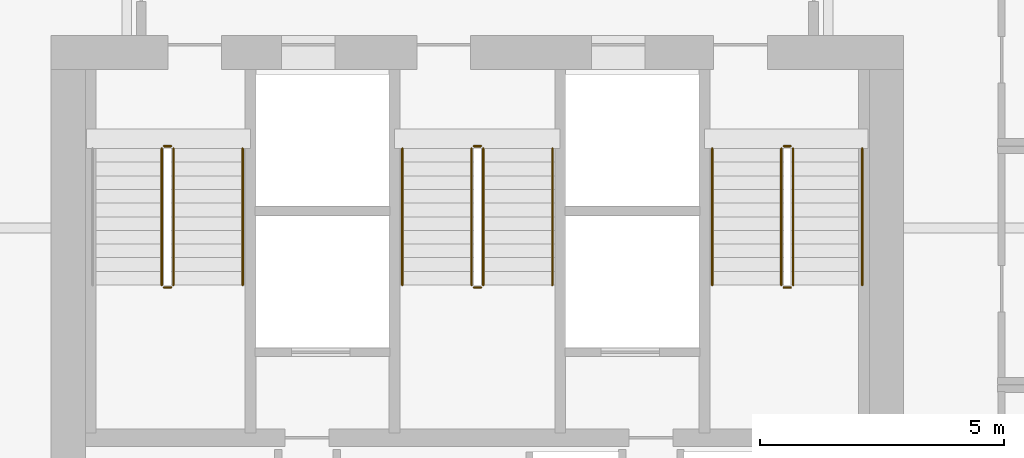
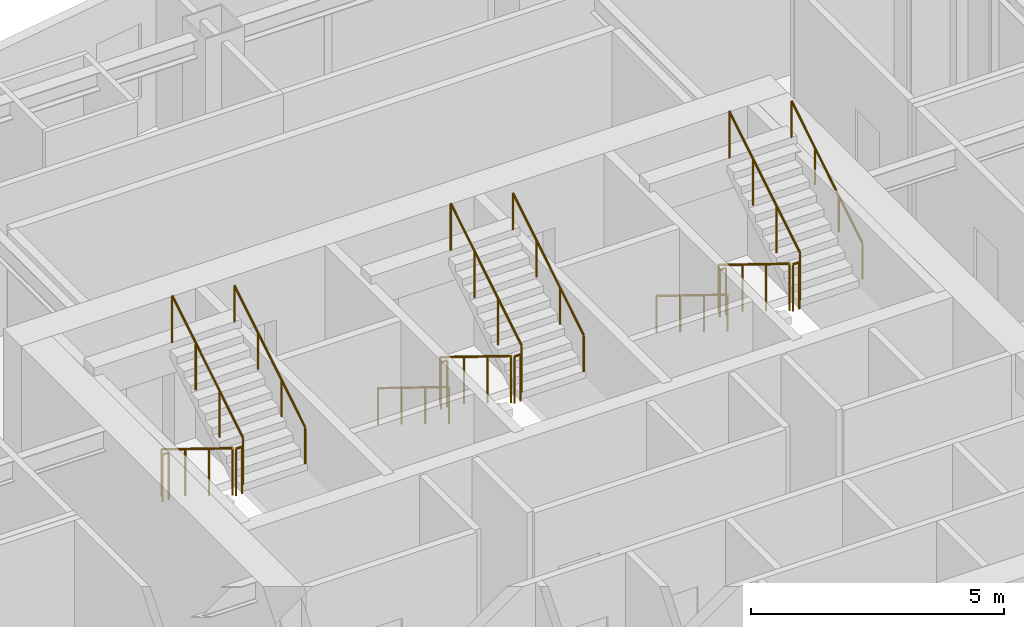
# One storey, part 15 of 15: 17 railings.
"""IFC4 building model written with IfcOpenShell, lengths in metres."""

from ifc_helpers import new_model, si_unit, direction, frame, origin, origin_2d, place, context, subcontext, project, spatial, circle, extrude, material, type_object, element, save


model = new_model("IFC4")

# Units and contexts
model_context = context("Model", 3, precision=1e-05, world=origin(), true_north=direction((0.0, 1.0)))
body_context = subcontext(model_context, "Body", "Model", "MODEL_VIEW")
ifc_project = project(units=[si_unit("LENGTHUNIT", "METRE"), si_unit("AREAUNIT", "SQUARE_METRE"), si_unit("VOLUMEUNIT", "CUBIC_METRE"), si_unit("PLANEANGLEUNIT", "RADIAN"), si_unit("MASSUNIT", "GRAM", prefix="KILO")], contexts=[model_context])

# Site, building, storey
site_placement = place(None, origin())
site = spatial("IfcSite", under=ifc_project, at=site_placement, CompositionType="ELEMENT")
building_placement = place(site_placement, origin())
building = spatial("IfcBuilding", under=site, at=building_placement, Name="Haolan Belvedere Tower", CompositionType="ELEMENT")
storey_placement = place(building_placement, frame((0.0, 0.0, 152.39990234375)))
storey = spatial("IfcBuildingStorey", under=building, at=storey_placement, Name="L38", CompositionType="ELEMENT", Elevation=152.39990234375)

# Railings
ifc_material = material(Name="Brushed stainless steel 304", Category="steel")
railing_type_1 = type_object("IfcRailingType", Name="RL-STAIR-GRD-1150", PredefinedType="GUARDRAIL", material=ifc_material)
railing_1_placement = place(storey_placement, frame((31.919921875, 41.22998046875, 0.1728515625)))
element("IfcRailing", 1, at=railing_1_placement, inside=storey, type_object=railing_type_1, Name="L38 ST1 stair guard 1", PredefinedType="GUARDRAIL", context=body_context, shape_type="SweptSolid", body=[
    extrude(circle(Radius=0.02392578125, at=origin_2d()), frame((0.0, 0.0, 1.1259765625), z_axis=(0.0, -0.851089632645, 0.525020415988), x_axis=(1.0, 0.0, 0.0)), (0.0, 0.0, 1.0), 3.2900390625),
    extrude(circle(Radius=0.02099609375, at=origin_2d()), origin(), (0.0, 0.0, 1.0), 1.101806640625),
    extrude(circle(Radius=0.02099609375, at=origin_2d()), frame((0.0, -0.933349609375, 0.57568359375)), (0.0, 0.0, 1.0), 1.101806640625),
    extrude(circle(Radius=0.02099609375, at=origin_2d()), frame((0.0, -1.86669921875, 1.151611328125)), (0.0, 0.0, 1.0), 1.101806640625),
    extrude(circle(Radius=0.02099609375, at=origin_2d()), frame((0.0, -2.800048828125, 1.727294921875)), (0.0, 0.0, 1.0), 1.101806640625),
])
railing_2_placement = place(storey_placement, frame((31.969970703125, 38.3798828125, 1.900146484375)))
element("IfcRailing", 2, at=railing_2_placement, inside=storey, type_object=railing_type_1, Name="L38 ST1 stair guard 2", PredefinedType="GUARDRAIL", context=body_context, shape_type="SweptSolid", body=[
    extrude(circle(Radius=0.02392578125, at=origin_2d()), frame((0.0, 0.0, 1.1259765625), z_axis=(1.0, 0.0, 0.0), x_axis=(0.0, 1.0, 0.0)), (0.0, 0.0, 1.0), 0.14013671875),
    extrude(circle(Radius=0.02099609375, at=origin_2d()), origin(), (0.0, 0.0, 1.0), 1.101806640625),
    extrude(circle(Radius=0.02099609375, at=origin_2d()), frame((0.14013671875, 0.0, 0.0)), (0.0, 0.0, 1.0), 1.101806640625),
])
railing_3_placement = place(storey_placement, frame((32.159912109375, 38.429931640625, 2.07275390625)))
element("IfcRailing", 3, at=railing_3_placement, inside=storey, type_object=railing_type_1, Name="L38 ST1 stair guard 3", PredefinedType="GUARDRAIL", context=body_context, shape_type="SweptSolid", body=[
    extrude(circle(Radius=0.02392578125, at=origin_2d()), frame((0.0, 0.0, 1.1259765625), z_axis=(0.0, 0.851089632645, 0.525020415988), x_axis=(-1.0, 0.0, 0.0)), (0.0, 0.0, 1.0), 3.2900390625),
    extrude(circle(Radius=0.02099609375, at=origin_2d()), origin(), (0.0, 0.0, 1.0), 1.101806640625),
    extrude(circle(Radius=0.02099609375, at=origin_2d()), frame((0.0, 0.933349609375, 0.57568359375)), (0.0, 0.0, 1.0), 1.101806640625),
    extrude(circle(Radius=0.02099609375, at=origin_2d()), frame((0.0, 1.86669921875, 1.151611328125)), (0.0, 0.0, 1.0), 1.101806640625),
    extrude(circle(Radius=0.02099609375, at=origin_2d()), frame((0.0, 2.800048828125, 1.727294921875)), (0.0, 0.0, 1.0), 1.101806640625),
])
railing_4_placement = place(storey_placement, frame((31.969970703125, 41.280029296875, 0.0)))
element("IfcRailing", 4, at=railing_4_placement, inside=storey, type_object=railing_type_1, Name="L38 ST1 stair guard 4", PredefinedType="GUARDRAIL", context=body_context, shape_type="SweptSolid", body=[
    extrude(circle(Radius=0.02392578125, at=origin_2d()), frame((0.0, 0.0, 1.1259765625), z_axis=(1.0, 0.0, 0.0), x_axis=(0.0, 1.0, 0.0)), (0.0, 0.0, 1.0), 0.14013671875),
    extrude(circle(Radius=0.02099609375, at=origin_2d()), origin(), (0.0, 0.0, 1.0), 1.101806640625),
    extrude(circle(Radius=0.02099609375, at=origin_2d()), frame((0.14013671875, 0.0, 0.0)), (0.0, 0.0, 1.0), 1.101806640625),
])
railing_5_placement = place(storey_placement, frame((38.280029296875, 41.22998046875, 0.1728515625)))
element("IfcRailing", 5, at=railing_5_placement, inside=storey, type_object=railing_type_1, Name="L38 ST3 stair guard 1", PredefinedType="GUARDRAIL", context=body_context, shape_type="SweptSolid", body=[
    extrude(circle(Radius=0.02392578125, at=origin_2d()), frame((0.0, 0.0, 1.1259765625), z_axis=(0.0, -0.851089632645, 0.525020415988), x_axis=(1.0, 0.0, 0.0)), (0.0, 0.0, 1.0), 3.2900390625),
    extrude(circle(Radius=0.02099609375, at=origin_2d()), origin(), (0.0, 0.0, 1.0), 1.101806640625),
    extrude(circle(Radius=0.02099609375, at=origin_2d()), frame((0.0, -0.933349609375, 0.57568359375)), (0.0, 0.0, 1.0), 1.101806640625),
    extrude(circle(Radius=0.02099609375, at=origin_2d()), frame((0.0, -1.86669921875, 1.151611328125)), (0.0, 0.0, 1.0), 1.101806640625),
    extrude(circle(Radius=0.02099609375, at=origin_2d()), frame((0.0, -2.800048828125, 1.727294921875)), (0.0, 0.0, 1.0), 1.101806640625),
])
railing_6_placement = place(storey_placement, frame((38.330078125, 38.3798828125, 1.900146484375)))
element("IfcRailing", 6, at=railing_6_placement, inside=storey, type_object=railing_type_1, Name="L38 ST3 stair guard 2", PredefinedType="GUARDRAIL", context=body_context, shape_type="SweptSolid", body=[
    extrude(circle(Radius=0.02392578125, at=origin_2d()), frame((0.0, 0.0, 1.1259765625), z_axis=(1.0, 0.0, 0.0), x_axis=(0.0, 1.0, 0.0)), (0.0, 0.0, 1.0), 0.139892578125),
    extrude(circle(Radius=0.02099609375, at=origin_2d()), origin(), (0.0, 0.0, 1.0), 1.101806640625),
    extrude(circle(Radius=0.02099609375, at=origin_2d()), frame((0.139892578125, 0.0, 0.0)), (0.0, 0.0, 1.0), 1.101806640625),
])
railing_7_placement = place(storey_placement, frame((38.52001953125, 38.429931640625, 2.07275390625)))
element("IfcRailing", 7, at=railing_7_placement, inside=storey, type_object=railing_type_1, Name="L38 ST3 stair guard 3", PredefinedType="GUARDRAIL", context=body_context, shape_type="SweptSolid", body=[
    extrude(circle(Radius=0.02392578125, at=origin_2d()), frame((0.0, 0.0, 1.1259765625), z_axis=(0.0, 0.851089632645, 0.525020415988), x_axis=(-1.0, 0.0, 0.0)), (0.0, 0.0, 1.0), 3.2900390625),
    extrude(circle(Radius=0.02099609375, at=origin_2d()), origin(), (0.0, 0.0, 1.0), 1.101806640625),
    extrude(circle(Radius=0.02099609375, at=origin_2d()), frame((0.0, 0.933349609375, 0.57568359375)), (0.0, 0.0, 1.0), 1.101806640625),
    extrude(circle(Radius=0.02099609375, at=origin_2d()), frame((0.0, 1.86669921875, 1.151611328125)), (0.0, 0.0, 1.0), 1.101806640625),
    extrude(circle(Radius=0.02099609375, at=origin_2d()), frame((0.0, 2.800048828125, 1.727294921875)), (0.0, 0.0, 1.0), 1.101806640625),
])
railing_8_placement = place(storey_placement, frame((38.330078125, 41.280029296875, 0.0)))
element("IfcRailing", 8, at=railing_8_placement, inside=storey, type_object=railing_type_1, Name="L38 ST3 stair guard 4", PredefinedType="GUARDRAIL", context=body_context, shape_type="SweptSolid", body=[
    extrude(circle(Radius=0.02392578125, at=origin_2d()), frame((0.0, 0.0, 1.1259765625), z_axis=(1.0, 0.0, 0.0), x_axis=(0.0, 1.0, 0.0)), (0.0, 0.0, 1.0), 0.139892578125),
    extrude(circle(Radius=0.02099609375, at=origin_2d()), origin(), (0.0, 0.0, 1.0), 1.101806640625),
    extrude(circle(Radius=0.02099609375, at=origin_2d()), frame((0.139892578125, 0.0, 0.0)), (0.0, 0.0, 1.0), 1.101806640625),
])
railing_9_placement = place(storey_placement, frame((44.639892578125, 41.22998046875, 0.1728515625)))
element("IfcRailing", 9, at=railing_9_placement, inside=storey, type_object=railing_type_1, Name="L38 ST2 stair guard 1", PredefinedType="GUARDRAIL", context=body_context, shape_type="SweptSolid", body=[
    extrude(circle(Radius=0.02392578125, at=origin_2d()), frame((0.0, 0.0, 1.1259765625), z_axis=(0.0, -0.851089632645, 0.525020415988), x_axis=(1.0, 0.0, 0.0)), (0.0, 0.0, 1.0), 3.2900390625),
    extrude(circle(Radius=0.02099609375, at=origin_2d()), origin(), (0.0, 0.0, 1.0), 1.101806640625),
    extrude(circle(Radius=0.02099609375, at=origin_2d()), frame((0.0, -0.933349609375, 0.57568359375)), (0.0, 0.0, 1.0), 1.101806640625),
    extrude(circle(Radius=0.02099609375, at=origin_2d()), frame((0.0, -1.86669921875, 1.151611328125)), (0.0, 0.0, 1.0), 1.101806640625),
    extrude(circle(Radius=0.02099609375, at=origin_2d()), frame((0.0, -2.800048828125, 1.727294921875)), (0.0, 0.0, 1.0), 1.101806640625),
])
railing_10_placement = place(storey_placement, frame((44.68994140625, 38.3798828125, 1.900146484375)))
element("IfcRailing", 10, at=railing_10_placement, inside=storey, type_object=railing_type_1, Name="L38 ST2 stair guard 2", PredefinedType="GUARDRAIL", context=body_context, shape_type="SweptSolid", body=[
    extrude(circle(Radius=0.02392578125, at=origin_2d()), frame((0.0, 0.0, 1.1259765625), z_axis=(1.0, 0.0, 0.0), x_axis=(0.0, 1.0, 0.0)), (0.0, 0.0, 1.0), 0.14013671875),
    extrude(circle(Radius=0.02099609375, at=origin_2d()), origin(), (0.0, 0.0, 1.0), 1.101806640625),
    extrude(circle(Radius=0.02099609375, at=origin_2d()), frame((0.14013671875, 0.0, 0.0)), (0.0, 0.0, 1.0), 1.101806640625),
])
railing_11_placement = place(storey_placement, frame((44.8798828125, 38.429931640625, 2.07275390625)))
element("IfcRailing", 11, at=railing_11_placement, inside=storey, type_object=railing_type_1, Name="L38 ST2 stair guard 3", PredefinedType="GUARDRAIL", context=body_context, shape_type="SweptSolid", body=[
    extrude(circle(Radius=0.02392578125, at=origin_2d()), frame((0.0, 0.0, 1.1259765625), z_axis=(0.0, 0.851089632645, 0.525020415988), x_axis=(-1.0, 0.0, 0.0)), (0.0, 0.0, 1.0), 3.2900390625),
    extrude(circle(Radius=0.02099609375, at=origin_2d()), origin(), (0.0, 0.0, 1.0), 1.101806640625),
    extrude(circle(Radius=0.02099609375, at=origin_2d()), frame((0.0, 0.933349609375, 0.57568359375)), (0.0, 0.0, 1.0), 1.101806640625),
    extrude(circle(Radius=0.02099609375, at=origin_2d()), frame((0.0, 1.86669921875, 1.151611328125)), (0.0, 0.0, 1.0), 1.101806640625),
    extrude(circle(Radius=0.02099609375, at=origin_2d()), frame((0.0, 2.800048828125, 1.727294921875)), (0.0, 0.0, 1.0), 1.101806640625),
])
railing_12_placement = place(storey_placement, frame((44.68994140625, 41.280029296875, 0.0)))
element("IfcRailing", 12, at=railing_12_placement, inside=storey, type_object=railing_type_1, Name="L38 ST2 stair guard 4", PredefinedType="GUARDRAIL", context=body_context, shape_type="SweptSolid", body=[
    extrude(circle(Radius=0.02392578125, at=origin_2d()), frame((0.0, 0.0, 1.1259765625), z_axis=(1.0, 0.0, 0.0), x_axis=(0.0, 1.0, 0.0)), (0.0, 0.0, 1.0), 0.14013671875),
    extrude(circle(Radius=0.02099609375, at=origin_2d()), origin(), (0.0, 0.0, 1.0), 1.101806640625),
    extrude(circle(Radius=0.02099609375, at=origin_2d()), frame((0.14013671875, 0.0, 0.0)), (0.0, 0.0, 1.0), 1.101806640625),
])
railing_type_2 = type_object("IfcRailingType", Name="RL-STAIR-HND-900", PredefinedType="HANDRAIL", material=ifc_material)
railing_13_placement = place(storey_placement, frame((33.580078125, 38.429931640625, 2.07275390625)))
element("IfcRailing", 13, at=railing_13_placement, inside=storey, type_object=railing_type_2, Name="L38 ST1 stair handrail 2", PredefinedType="HANDRAIL", context=body_context, shape_type="SweptSolid", body=[
    extrude(circle(Radius=0.02392578125, at=origin_2d()), frame((0.0, 0.0, 0.8759765625), z_axis=(0.0, 0.851089632645, 0.525020415988), x_axis=(-1.0, 0.0, 0.0)), (0.0, 0.0, 1.0), 3.2900390625),
    extrude(circle(Radius=0.02099609375, at=origin_2d()), origin(), (0.0, 0.0, 1.0), 0.851806640625),
    extrude(circle(Radius=0.02099609375, at=origin_2d()), frame((0.0, 0.933349609375, 0.57568359375)), (0.0, 0.0, 1.0), 0.851806640625),
    extrude(circle(Radius=0.02099609375, at=origin_2d()), frame((0.0, 1.86669921875, 1.151611328125)), (0.0, 0.0, 1.0), 0.851806640625),
    extrude(circle(Radius=0.02099609375, at=origin_2d()), frame((0.0, 2.800048828125, 1.727294921875)), (0.0, 0.0, 1.0), 0.851806640625),
])
railing_14_placement = place(storey_placement, frame((36.860107421875, 41.22998046875, 0.1728515625)))
element("IfcRailing", 14, at=railing_14_placement, inside=storey, type_object=railing_type_2, Name="L38 ST3 stair handrail 1", PredefinedType="HANDRAIL", context=body_context, shape_type="SweptSolid", body=[
    extrude(circle(Radius=0.02392578125, at=origin_2d()), frame((0.0, 0.0, 0.8759765625), z_axis=(0.0, -0.851089632645, 0.525020415988), x_axis=(1.0, 0.0, 0.0)), (0.0, 0.0, 1.0), 3.2900390625),
    extrude(circle(Radius=0.02099609375, at=origin_2d()), origin(), (0.0, 0.0, 1.0), 0.851806640625),
    extrude(circle(Radius=0.02099609375, at=origin_2d()), frame((0.0, -0.933349609375, 0.57568359375)), (0.0, 0.0, 1.0), 0.851806640625),
    extrude(circle(Radius=0.02099609375, at=origin_2d()), frame((0.0, -1.86669921875, 1.151611328125)), (0.0, 0.0, 1.0), 0.851806640625),
    extrude(circle(Radius=0.02099609375, at=origin_2d()), frame((0.0, -2.800048828125, 1.727294921875)), (0.0, 0.0, 1.0), 0.851806640625),
])
railing_15_placement = place(storey_placement, frame((39.93994140625, 38.429931640625, 2.07275390625)))
element("IfcRailing", 15, at=railing_15_placement, inside=storey, type_object=railing_type_2, Name="L38 ST3 stair handrail 2", PredefinedType="HANDRAIL", context=body_context, shape_type="SweptSolid", body=[
    extrude(circle(Radius=0.02392578125, at=origin_2d()), frame((0.0, 0.0, 0.8759765625), z_axis=(0.0, 0.851089632645, 0.525020415988), x_axis=(-1.0, 0.0, 0.0)), (0.0, 0.0, 1.0), 3.2900390625),
    extrude(circle(Radius=0.02099609375, at=origin_2d()), origin(), (0.0, 0.0, 1.0), 0.851806640625),
    extrude(circle(Radius=0.02099609375, at=origin_2d()), frame((0.0, 0.933349609375, 0.57568359375)), (0.0, 0.0, 1.0), 0.851806640625),
    extrude(circle(Radius=0.02099609375, at=origin_2d()), frame((0.0, 1.86669921875, 1.151611328125)), (0.0, 0.0, 1.0), 0.851806640625),
    extrude(circle(Radius=0.02099609375, at=origin_2d()), frame((0.0, 2.800048828125, 1.727294921875)), (0.0, 0.0, 1.0), 0.851806640625),
])
railing_16_placement = place(storey_placement, frame((43.219970703125, 41.22998046875, 0.1728515625)))
element("IfcRailing", 16, at=railing_16_placement, inside=storey, type_object=railing_type_2, Name="L38 ST2 stair handrail 1", PredefinedType="HANDRAIL", context=body_context, shape_type="SweptSolid", body=[
    extrude(circle(Radius=0.02392578125, at=origin_2d()), frame((0.0, 0.0, 0.8759765625), z_axis=(0.0, -0.851089632645, 0.525020415988), x_axis=(1.0, 0.0, 0.0)), (0.0, 0.0, 1.0), 3.2900390625),
    extrude(circle(Radius=0.02099609375, at=origin_2d()), origin(), (0.0, 0.0, 1.0), 0.851806640625),
    extrude(circle(Radius=0.02099609375, at=origin_2d()), frame((0.0, -0.933349609375, 0.57568359375)), (0.0, 0.0, 1.0), 0.851806640625),
    extrude(circle(Radius=0.02099609375, at=origin_2d()), frame((0.0, -1.86669921875, 1.151611328125)), (0.0, 0.0, 1.0), 0.851806640625),
    extrude(circle(Radius=0.02099609375, at=origin_2d()), frame((0.0, -2.800048828125, 1.727294921875)), (0.0, 0.0, 1.0), 0.851806640625),
])
railing_17_placement = place(storey_placement, frame((46.300048828125, 38.429931640625, 2.07275390625)))
element("IfcRailing", 17, at=railing_17_placement, inside=storey, type_object=railing_type_2, Name="L38 ST2 stair handrail 2", PredefinedType="HANDRAIL", context=body_context, shape_type="SweptSolid", body=[
    extrude(circle(Radius=0.02392578125, at=origin_2d()), frame((0.0, 0.0, 0.8759765625), z_axis=(0.0, 0.851089632645, 0.525020415988), x_axis=(-1.0, 0.0, 0.0)), (0.0, 0.0, 1.0), 3.2900390625),
    extrude(circle(Radius=0.02099609375, at=origin_2d()), origin(), (0.0, 0.0, 1.0), 0.851806640625),
    extrude(circle(Radius=0.02099609375, at=origin_2d()), frame((0.0, 0.933349609375, 0.57568359375)), (0.0, 0.0, 1.0), 0.851806640625),
    extrude(circle(Radius=0.02099609375, at=origin_2d()), frame((0.0, 1.86669921875, 1.151611328125)), (0.0, 0.0, 1.0), 0.851806640625),
    extrude(circle(Radius=0.02099609375, at=origin_2d()), frame((0.0, 2.800048828125, 1.727294921875)), (0.0, 0.0, 1.0), 0.851806640625),
])

save(model, "model.ifc")
